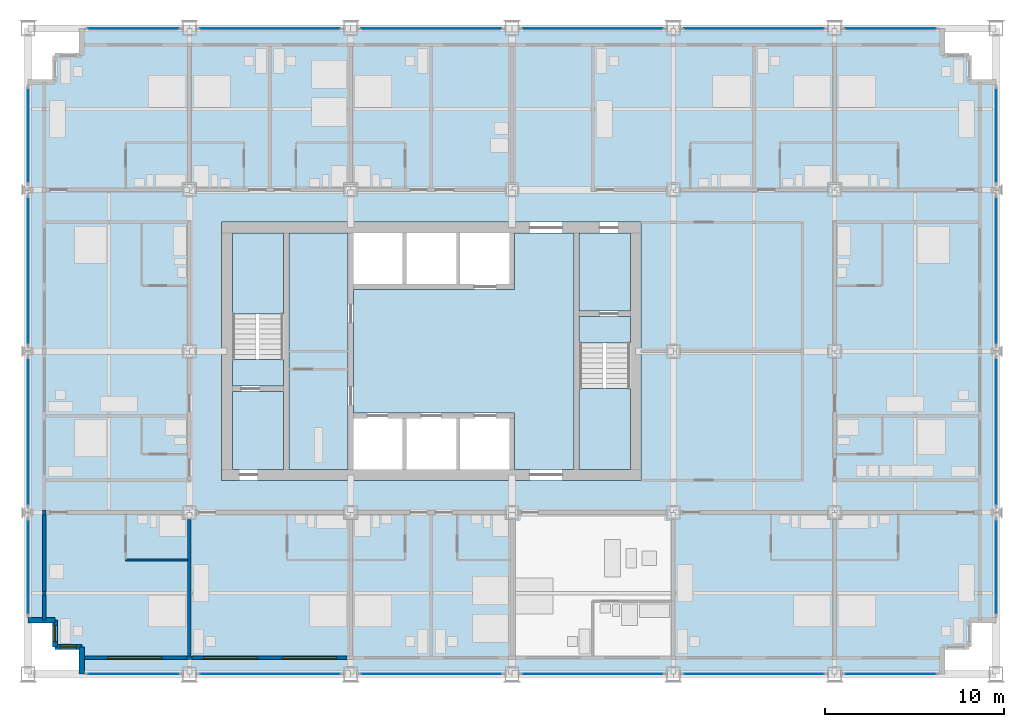
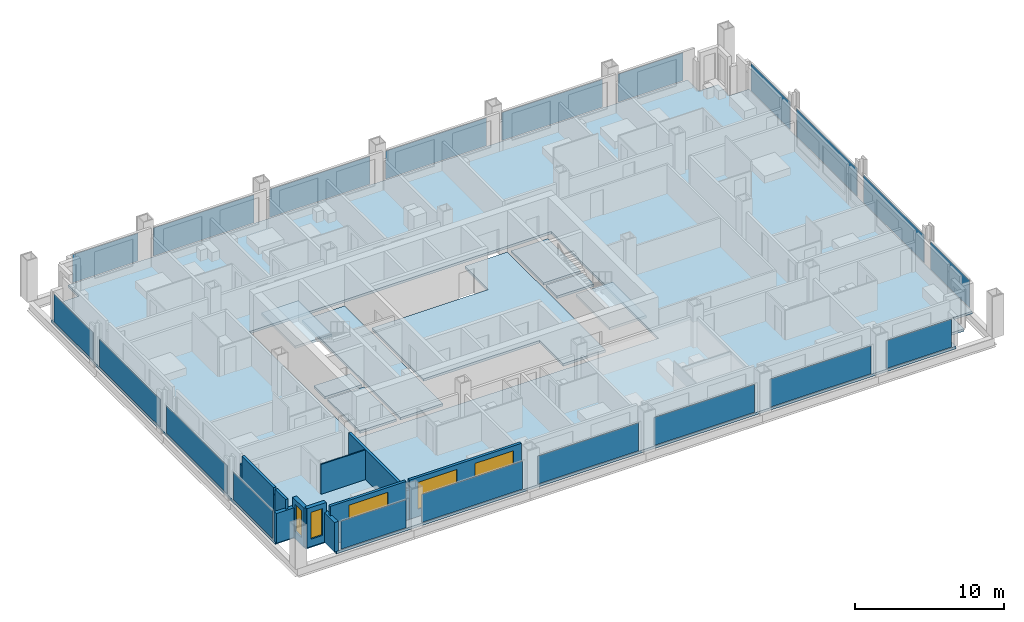
# One storey, part 9 of 18: 20 plates, 13 walls, 9 slabs, 5 windows, 5 openings, 22 elements without a shape of their own.
"""IFC4 building model written with IfcOpenShell, lengths in metres."""

from ifc_helpers import new_model, si_unit, direction, frame, frame_2d, origin, origin_2d, place, context, subcontext, project, spatial, polyline, rectangle, outline, extrude, material, layer, layer_set, type_object, element, fill, aggregate, save


model = new_model("IFC4")

# Units and contexts
model_context = context("Model", 3, precision=1e-05, world=origin(), true_north=direction((0.0, 1.0)))
body_context = subcontext(model_context, "Body", "Model", "MODEL_VIEW")
ifc_project = project(units=[si_unit("LENGTHUNIT", "METRE"), si_unit("AREAUNIT", "SQUARE_METRE"), si_unit("VOLUMEUNIT", "CUBIC_METRE"), si_unit("PLANEANGLEUNIT", "RADIAN"), si_unit("MASSUNIT", "GRAM", prefix="KILO")], contexts=[model_context])

# Site, building, storey
site_placement = place(None, origin())
site = spatial("IfcSite", under=ifc_project, at=site_placement, CompositionType="ELEMENT")
building_placement = place(site_placement, origin())
building = spatial("IfcBuilding", under=site, at=building_placement, Name="Loomwork Tower", CompositionType="ELEMENT")
storey_placement = place(building_placement, frame((0.0, 0.0, 62.0)))
storey = spatial("IfcBuildingStorey", under=building, at=storey_placement, Name="L15", CompositionType="ELEMENT", Elevation=62.0)

# Slabs
ifc_material_1 = material(Name="Concrete 5000 psi (34 MPa) on composite metal deck", Category="concrete")
ifc_layer_1 = layer(ifc_material_1, 0.199951171875)
ifc_layer_set_1 = layer_set([ifc_layer_1], Name="Floor slab 200")
slab_type_1 = type_object("IfcSlabType", Name="Floor slab 200", PredefinedType="FLOOR", material=ifc_layer_set_1)
slab_1_placement = place(storey_placement, frame((0.0, 0.0, -0.199951171875)))
element("IfcSlab", 1, at=slab_1_placement, inside=storey, type_object=slab_type_1, Name="Floor slab L15", PredefinedType="FLOOR", context=body_context, shape_type="SweptSolid", body=[
    extrude(outline(polyline([(3.0, 1.5), (1.5, 1.5), (1.5, 3.0), (0.0, 3.0), (0.0, 33.0), (1.5, 33.0), (1.5, 34.5), (3.0, 34.5), (3.0, 36.0), (51.0, 36.0), (51.0, 34.5), (52.5, 34.5), (52.5, 33.0), (54.0, 33.0), (54.0, 3.0), (52.5, 3.0), (52.5, 1.5), (51.0, 1.5), (51.0, 0.0), (3.0, 0.0), (3.0, 1.5)]), holes=[polyline([(10.800048828125, 11.39990234375), (10.800048828125, 11.39990234375), (10.800048828125, 10.800048828125), (34.199951171875, 10.800048828125), (34.199951171875, 11.39990234375), (34.199951171875, 11.39990234375), (34.199951171875, 24.60009765625), (34.199951171875, 25.199951171875), (10.800048828125, 25.199951171875), (10.800048828125, 24.60009765625), (10.800048828125, 11.39990234375)])]), origin(), (0.0, 0.0, 1.0), 0.199951171875),
])
slab_2_placement = place(storey_placement, frame((0.0, 0.0, -0.199951171875)))
element("IfcSlab", 2, at=slab_2_placement, inside=storey, type_object=slab_type_1, Name="Floor slab L15", PredefinedType="FLOOR", context=body_context, shape_type="SweptSolid", body=[
    extrude(outline(polyline([(30.449951171875, 24.60009765625), (30.449951171875, 11.39990234375), (27.14990234375, 11.39990234375), (27.14990234375, 14.25), (27.14990234375, 14.550048828125), (18.14990234375, 14.550048828125), (18.14990234375, 21.449951171875), (27.14990234375, 21.449951171875), (27.14990234375, 21.75), (27.14990234375, 24.60009765625), (30.449951171875, 24.60009765625)])), origin(), (0.0, 0.0, 1.0), 0.199951171875),
])
slab_3_placement = place(storey_placement, frame((0.0, 0.0, -0.199951171875)))
element("IfcSlab", 3, at=slab_3_placement, inside=storey, type_object=slab_type_1, Name="Floor slab L15", PredefinedType="FLOOR", context=body_context, shape_type="SweptSolid", body=[
    extrude(outline(polyline([(14.550048828125, 11.39990234375), (14.550048828125, 24.60009765625), (17.85009765625, 24.60009765625), (17.85009765625, 11.39990234375), (14.550048828125, 11.39990234375)])), origin(), (0.0, 0.0, 1.0), 0.199951171875),
])
slab_4_placement = place(storey_placement, frame((0.0, 0.0, -0.199951171875)))
element("IfcSlab", 4, at=slab_4_placement, inside=storey, type_object=slab_type_1, Name="Floor slab L15", PredefinedType="FLOOR", context=body_context, shape_type="SweptSolid", body=[
    extrude(outline(polyline([(33.60009765625, 20.25), (30.75, 20.25), (30.75, 24.60009765625), (33.60009765625, 24.60009765625), (33.60009765625, 20.25)])), origin(), (0.0, 0.0, 1.0), 0.199951171875),
])
slab_5_placement = place(storey_placement, frame((0.0, 0.0, -0.199951171875)))
element("IfcSlab", 5, at=slab_5_placement, inside=storey, type_object=slab_type_1, Name="Floor slab L15", PredefinedType="FLOOR", context=body_context, shape_type="SweptSolid", body=[
    extrude(outline(polyline([(14.25, 15.75), (14.25, 11.39990234375), (11.39990234375, 11.39990234375), (11.39990234375, 15.75), (14.25, 15.75)])), origin(), (0.0, 0.0, 1.0), 0.199951171875),
])

# Curtain wall, plate
ifc_material_2 = material(Name="Aluminium curtain wall frame", Category="aluminium")
curtain_wall_type = type_object("IfcCurtainWallType", Name="Outer skin glazing hotel", PredefinedType="NOTDEFINED", material=ifc_material_2)
curtain_wall_1_placement = place(storey_placement, origin())
curtain_wall_1 = element("IfcCurtainWall", 6, at=curtain_wall_1_placement, inside=storey, type_object=curtain_wall_type, Name="Outer skin glazing hotel cw/S-0", PredefinedType="NOTDEFINED")
ifc_material_3 = material(Name="Clear laminated glass", Category="glass")
ifc_layer_2 = layer(ifc_material_3, 0.02392578125)
ifc_layer_set_2 = layer_set([ifc_layer_2], Name="Outer skin glazing hotel panel")
plate_type = type_object("IfcPlateType", Name="Outer skin glazing hotel panel", PredefinedType="CURTAIN_PANEL", material=ifc_layer_set_2)
plate_1_placement = place(storey_placement, frame((5.875, 0.0, 0.06494140625), z_axis=(0.0, 0.0, 1.0), x_axis=(1.0, 0.0, 0.0)))
plate_1 = element("IfcPlate", 7, at=plate_1_placement, type_object=plate_type, Name="CW1 panel 1.1", PredefinedType="CURTAIN_PANEL", context=body_context, shape_type="SweptSolid", body=[
    extrude(rectangle(XDim=5.050048828125, YDim=0.02392578125, at=origin_2d()), origin(), (0.0, 0.0, 1.0), 2.290283203125),
])
aggregate(curtain_wall_1, [plate_1])

curtain_wall_2_placement = place(storey_placement, origin())
curtain_wall_2 = element("IfcCurtainWall", 8, at=curtain_wall_2_placement, inside=storey, type_object=curtain_wall_type, Name="Outer skin glazing hotel cw/S-9", PredefinedType="NOTDEFINED")
plate_2_placement = place(storey_placement, frame((13.5, 0.0, 0.06494140625), z_axis=(0.0, 0.0, 1.0), x_axis=(1.0, 0.0, 0.0)))
plate_2 = element("IfcPlate", 9, at=plate_2_placement, type_object=plate_type, Name="CW1 panel 1.1", PredefinedType="CURTAIN_PANEL", context=body_context, shape_type="SweptSolid", body=[
    extrude(rectangle(XDim=7.800048828125, YDim=0.02392578125, at=origin_2d()), origin(), (0.0, 0.0, 1.0), 2.290283203125),
])
aggregate(curtain_wall_2, [plate_2])

curtain_wall_3_placement = place(storey_placement, origin())
curtain_wall_3 = element("IfcCurtainWall", 10, at=curtain_wall_3_placement, inside=storey, type_object=curtain_wall_type, Name="Outer skin glazing hotel cw/S-18", PredefinedType="NOTDEFINED")
plate_3_placement = place(storey_placement, frame((22.5, 0.0, 0.06494140625), z_axis=(0.0, 0.0, 1.0), x_axis=(1.0, 0.0, 0.0)))
plate_3 = element("IfcPlate", 11, at=plate_3_placement, type_object=plate_type, Name="CW1 panel 1.1", PredefinedType="CURTAIN_PANEL", context=body_context, shape_type="SweptSolid", body=[
    extrude(rectangle(XDim=7.800048828125, YDim=0.02392578125, at=origin_2d()), origin(), (0.0, 0.0, 1.0), 2.290283203125),
])
aggregate(curtain_wall_3, [plate_3])

curtain_wall_4_placement = place(storey_placement, origin())
curtain_wall_4 = element("IfcCurtainWall", 12, at=curtain_wall_4_placement, inside=storey, type_object=curtain_wall_type, Name="Outer skin glazing hotel cw/S-27", PredefinedType="NOTDEFINED")
plate_4_placement = place(storey_placement, frame((31.5, 0.0, 0.06494140625), z_axis=(0.0, 0.0, 1.0), x_axis=(1.0, 0.0, 0.0)))
plate_4 = element("IfcPlate", 13, at=plate_4_placement, type_object=plate_type, Name="CW1 panel 1.1", PredefinedType="CURTAIN_PANEL", context=body_context, shape_type="SweptSolid", body=[
    extrude(rectangle(XDim=7.800048828125, YDim=0.02392578125, at=origin_2d()), origin(), (0.0, 0.0, 1.0), 2.290283203125),
])
aggregate(curtain_wall_4, [plate_4])

curtain_wall_5_placement = place(storey_placement, origin())
curtain_wall_5 = element("IfcCurtainWall", 14, at=curtain_wall_5_placement, inside=storey, type_object=curtain_wall_type, Name="Outer skin glazing hotel cw/S-36", PredefinedType="NOTDEFINED")
plate_5_placement = place(storey_placement, frame((40.5, 0.0, 0.06494140625), z_axis=(0.0, 0.0, 1.0), x_axis=(1.0, 0.0, 0.0)))
plate_5 = element("IfcPlate", 15, at=plate_5_placement, type_object=plate_type, Name="CW1 panel 1.1", PredefinedType="CURTAIN_PANEL", context=body_context, shape_type="SweptSolid", body=[
    extrude(rectangle(XDim=7.800048828125, YDim=0.02392578125, at=origin_2d()), origin(), (0.0, 0.0, 1.0), 2.290283203125),
])
aggregate(curtain_wall_5, [plate_5])

curtain_wall_6_placement = place(storey_placement, origin())
curtain_wall_6 = element("IfcCurtainWall", 16, at=curtain_wall_6_placement, inside=storey, type_object=curtain_wall_type, Name="Outer skin glazing hotel cw/S-45", PredefinedType="NOTDEFINED")
plate_6_placement = place(storey_placement, frame((48.125, 0.0, 0.06494140625), z_axis=(0.0, 0.0, 1.0), x_axis=(1.0, 0.0, 0.0)))
plate_6 = element("IfcPlate", 17, at=plate_6_placement, type_object=plate_type, Name="CW1 panel 1.1", PredefinedType="CURTAIN_PANEL", context=body_context, shape_type="SweptSolid", body=[
    extrude(rectangle(XDim=5.050048828125, YDim=0.02392578125, at=origin_2d()), origin(), (0.0, 0.0, 1.0), 2.290283203125),
])
aggregate(curtain_wall_6, [plate_6])

curtain_wall_7_placement = place(storey_placement, origin())
curtain_wall_7 = element("IfcCurtainWall", 18, at=curtain_wall_7_placement, inside=storey, type_object=curtain_wall_type, Name="Outer skin glazing hotel cw/N-0", PredefinedType="NOTDEFINED")
plate_7_placement = place(storey_placement, frame((5.875, 36.0, 0.06494140625), z_axis=(0.0, 0.0, 1.0), x_axis=(-1.0, 0.0, 0.0)))
plate_7 = element("IfcPlate", 19, at=plate_7_placement, type_object=plate_type, Name="CW1 panel 1.1", PredefinedType="CURTAIN_PANEL", context=body_context, shape_type="SweptSolid", body=[
    extrude(rectangle(XDim=5.050048828125, YDim=0.02392578125, at=origin_2d()), origin(), (0.0, 0.0, 1.0), 2.290283203125),
])
aggregate(curtain_wall_7, [plate_7])

curtain_wall_8_placement = place(storey_placement, origin())
curtain_wall_8 = element("IfcCurtainWall", 20, at=curtain_wall_8_placement, inside=storey, type_object=curtain_wall_type, Name="Outer skin glazing hotel cw/N-9", PredefinedType="NOTDEFINED")
plate_8_placement = place(storey_placement, frame((13.5, 36.0, 0.06494140625), z_axis=(0.0, 0.0, 1.0), x_axis=(-1.0, 0.0, 0.0)))
plate_8 = element("IfcPlate", 21, at=plate_8_placement, type_object=plate_type, Name="CW1 panel 1.1", PredefinedType="CURTAIN_PANEL", context=body_context, shape_type="SweptSolid", body=[
    extrude(rectangle(XDim=7.800048828125, YDim=0.02392578125, at=origin_2d()), origin(), (0.0, 0.0, 1.0), 2.290283203125),
])
aggregate(curtain_wall_8, [plate_8])

curtain_wall_9_placement = place(storey_placement, origin())
curtain_wall_9 = element("IfcCurtainWall", 22, at=curtain_wall_9_placement, inside=storey, type_object=curtain_wall_type, Name="Outer skin glazing hotel cw/N-18", PredefinedType="NOTDEFINED")
plate_9_placement = place(storey_placement, frame((22.5, 36.0, 0.06494140625), z_axis=(0.0, 0.0, 1.0), x_axis=(-1.0, 0.0, 0.0)))
plate_9 = element("IfcPlate", 23, at=plate_9_placement, type_object=plate_type, Name="CW1 panel 1.1", PredefinedType="CURTAIN_PANEL", context=body_context, shape_type="SweptSolid", body=[
    extrude(rectangle(XDim=7.800048828125, YDim=0.02392578125, at=origin_2d()), origin(), (0.0, 0.0, 1.0), 2.290283203125),
])
aggregate(curtain_wall_9, [plate_9])

curtain_wall_10_placement = place(storey_placement, origin())
curtain_wall_10 = element("IfcCurtainWall", 24, at=curtain_wall_10_placement, inside=storey, type_object=curtain_wall_type, Name="Outer skin glazing hotel cw/N-27", PredefinedType="NOTDEFINED")
plate_10_placement = place(storey_placement, frame((31.5, 36.0, 0.06494140625), z_axis=(0.0, 0.0, 1.0), x_axis=(-1.0, 0.0, 0.0)))
plate_10 = element("IfcPlate", 25, at=plate_10_placement, type_object=plate_type, Name="CW1 panel 1.1", PredefinedType="CURTAIN_PANEL", context=body_context, shape_type="SweptSolid", body=[
    extrude(rectangle(XDim=7.800048828125, YDim=0.02392578125, at=origin_2d()), origin(), (0.0, 0.0, 1.0), 2.290283203125),
])
aggregate(curtain_wall_10, [plate_10])

curtain_wall_11_placement = place(storey_placement, origin())
curtain_wall_11 = element("IfcCurtainWall", 26, at=curtain_wall_11_placement, inside=storey, type_object=curtain_wall_type, Name="Outer skin glazing hotel cw/N-36", PredefinedType="NOTDEFINED")
plate_11_placement = place(storey_placement, frame((40.5, 36.0, 0.06494140625), z_axis=(0.0, 0.0, 1.0), x_axis=(-1.0, 0.0, 0.0)))
plate_11 = element("IfcPlate", 27, at=plate_11_placement, type_object=plate_type, Name="CW1 panel 1.1", PredefinedType="CURTAIN_PANEL", context=body_context, shape_type="SweptSolid", body=[
    extrude(rectangle(XDim=7.800048828125, YDim=0.02392578125, at=origin_2d()), origin(), (0.0, 0.0, 1.0), 2.290283203125),
])
aggregate(curtain_wall_11, [plate_11])

curtain_wall_12_placement = place(storey_placement, origin())
curtain_wall_12 = element("IfcCurtainWall", 28, at=curtain_wall_12_placement, inside=storey, type_object=curtain_wall_type, Name="Outer skin glazing hotel cw/N-45", PredefinedType="NOTDEFINED")
plate_12_placement = place(storey_placement, frame((48.125, 36.0, 0.06494140625), z_axis=(0.0, 0.0, 1.0), x_axis=(-1.0, 0.0, 0.0)))
plate_12 = element("IfcPlate", 29, at=plate_12_placement, type_object=plate_type, Name="CW1 panel 1.1", PredefinedType="CURTAIN_PANEL", context=body_context, shape_type="SweptSolid", body=[
    extrude(rectangle(XDim=5.050048828125, YDim=0.02392578125, at=origin_2d()), origin(), (0.0, 0.0, 1.0), 2.290283203125),
])
aggregate(curtain_wall_12, [plate_12])

curtain_wall_13_placement = place(storey_placement, origin())
curtain_wall_13 = element("IfcCurtainWall", 30, at=curtain_wall_13_placement, inside=storey, type_object=curtain_wall_type, Name="Outer skin glazing hotel cw/W-0", PredefinedType="NOTDEFINED")
plate_13_placement = place(storey_placement, frame((0.0, 5.96142578125, 0.06494140625), z_axis=(0.0, 0.0, 1.0), x_axis=(0.0, -1.0, 0.0)))
plate_13 = element("IfcPlate", 31, at=plate_13_placement, type_object=plate_type, Name="CW1 panel 1.1", PredefinedType="CURTAIN_PANEL", context=body_context, shape_type="SweptSolid", body=[
    extrude(rectangle(XDim=5.22265625, YDim=0.02392578125, at=origin_2d()), origin(), (0.0, 0.0, 1.0), 2.290283203125),
])
aggregate(curtain_wall_13, [plate_13])

curtain_wall_14_placement = place(storey_placement, origin())
curtain_wall_14 = element("IfcCurtainWall", 32, at=curtain_wall_14_placement, inside=storey, type_object=curtain_wall_type, Name="Outer skin glazing hotel cw/W-9", PredefinedType="NOTDEFINED")
plate_14_placement = place(storey_placement, frame((0.0, 13.5, 0.06494140625), z_axis=(0.0, 0.0, 1.0), x_axis=(0.0, -1.0, 0.0)))
plate_14 = element("IfcPlate", 33, at=plate_14_placement, type_object=plate_type, Name="CW1 panel 1.1", PredefinedType="CURTAIN_PANEL", context=body_context, shape_type="SweptSolid", body=[
    extrude(rectangle(XDim=8.1455078125, YDim=0.02392578125, at=origin_2d()), origin(), (0.0, 0.0, 1.0), 2.290283203125),
])
aggregate(curtain_wall_14, [plate_14])

curtain_wall_15_placement = place(storey_placement, origin())
curtain_wall_15 = element("IfcCurtainWall", 34, at=curtain_wall_15_placement, inside=storey, type_object=curtain_wall_type, Name="Outer skin glazing hotel cw/W-18", PredefinedType="NOTDEFINED")
plate_15_placement = place(storey_placement, frame((0.0, 22.5, 0.06494140625), z_axis=(0.0, 0.0, 1.0), x_axis=(0.0, -1.0, 0.0)))
plate_15 = element("IfcPlate", 35, at=plate_15_placement, type_object=plate_type, Name="CW1 panel 1.1", PredefinedType="CURTAIN_PANEL", context=body_context, shape_type="SweptSolid", body=[
    extrude(rectangle(XDim=8.1455078125, YDim=0.02392578125, at=origin_2d()), origin(), (0.0, 0.0, 1.0), 2.290283203125),
])
aggregate(curtain_wall_15, [plate_15])

curtain_wall_16_placement = place(storey_placement, origin())
curtain_wall_16 = element("IfcCurtainWall", 36, at=curtain_wall_16_placement, inside=storey, type_object=curtain_wall_type, Name="Outer skin glazing hotel cw/W-27", PredefinedType="NOTDEFINED")
plate_16_placement = place(storey_placement, frame((0.0, 30.03857421875, 0.06494140625), z_axis=(0.0, 0.0, 1.0), x_axis=(0.0, -1.0, 0.0)))
plate_16 = element("IfcPlate", 37, at=plate_16_placement, type_object=plate_type, Name="CW1 panel 1.1", PredefinedType="CURTAIN_PANEL", context=body_context, shape_type="SweptSolid", body=[
    extrude(rectangle(XDim=5.22265625, YDim=0.02392578125, at=origin_2d()), origin(), (0.0, 0.0, 1.0), 2.290283203125),
])
aggregate(curtain_wall_16, [plate_16])

curtain_wall_17_placement = place(storey_placement, origin())
curtain_wall_17 = element("IfcCurtainWall", 38, at=curtain_wall_17_placement, inside=storey, type_object=curtain_wall_type, Name="Outer skin glazing hotel cw/E-0", PredefinedType="NOTDEFINED")
plate_17_placement = place(storey_placement, frame((54.0, 5.96142578125, 0.06494140625), z_axis=(0.0, 0.0, 1.0), x_axis=(0.0, 1.0, 0.0)))
plate_17 = element("IfcPlate", 39, at=plate_17_placement, type_object=plate_type, Name="CW1 panel 1.1", PredefinedType="CURTAIN_PANEL", context=body_context, shape_type="SweptSolid", body=[
    extrude(rectangle(XDim=5.22265625, YDim=0.02392578125, at=origin_2d()), origin(), (0.0, 0.0, 1.0), 2.290283203125),
])
aggregate(curtain_wall_17, [plate_17])

curtain_wall_18_placement = place(storey_placement, origin())
curtain_wall_18 = element("IfcCurtainWall", 40, at=curtain_wall_18_placement, inside=storey, type_object=curtain_wall_type, Name="Outer skin glazing hotel cw/E-9", PredefinedType="NOTDEFINED")
plate_18_placement = place(storey_placement, frame((54.0, 13.5, 0.06494140625), z_axis=(0.0, 0.0, 1.0), x_axis=(0.0, 1.0, 0.0)))
plate_18 = element("IfcPlate", 41, at=plate_18_placement, type_object=plate_type, Name="CW1 panel 1.1", PredefinedType="CURTAIN_PANEL", context=body_context, shape_type="SweptSolid", body=[
    extrude(rectangle(XDim=8.1455078125, YDim=0.02392578125, at=origin_2d()), origin(), (0.0, 0.0, 1.0), 2.290283203125),
])
aggregate(curtain_wall_18, [plate_18])

curtain_wall_19_placement = place(storey_placement, origin())
curtain_wall_19 = element("IfcCurtainWall", 42, at=curtain_wall_19_placement, inside=storey, type_object=curtain_wall_type, Name="Outer skin glazing hotel cw/E-18", PredefinedType="NOTDEFINED")
plate_19_placement = place(storey_placement, frame((54.0, 22.5, 0.06494140625), z_axis=(0.0, 0.0, 1.0), x_axis=(0.0, 1.0, 0.0)))
plate_19 = element("IfcPlate", 43, at=plate_19_placement, type_object=plate_type, Name="CW1 panel 1.1", PredefinedType="CURTAIN_PANEL", context=body_context, shape_type="SweptSolid", body=[
    extrude(rectangle(XDim=8.1455078125, YDim=0.02392578125, at=origin_2d()), origin(), (0.0, 0.0, 1.0), 2.290283203125),
])
aggregate(curtain_wall_19, [plate_19])

curtain_wall_20_placement = place(storey_placement, origin())
curtain_wall_20 = element("IfcCurtainWall", 44, at=curtain_wall_20_placement, inside=storey, type_object=curtain_wall_type, Name="Outer skin glazing hotel cw/E-27", PredefinedType="NOTDEFINED")
plate_20_placement = place(storey_placement, frame((54.0, 30.03857421875, 0.06494140625), z_axis=(0.0, 0.0, 1.0), x_axis=(0.0, 1.0, 0.0)))
plate_20 = element("IfcPlate", 45, at=plate_20_placement, type_object=plate_type, Name="CW1 panel 1.1", PredefinedType="CURTAIN_PANEL", context=body_context, shape_type="SweptSolid", body=[
    extrude(rectangle(XDim=5.22265625, YDim=0.02392578125, at=origin_2d()), origin(), (0.0, 0.0, 1.0), 2.290283203125),
])
aggregate(curtain_wall_20, [plate_20])

# Stair, slabs
ifc_material_4 = material(Name="Concrete 5000 psi (34 MPa) precast stair", Category="concrete")
stair_type_1 = type_object("IfcStairType", Name="Stair ST-A 20 risers 2850 wide", PredefinedType="HALF_TURN_STAIR", material=ifc_material_4)
stair_1_placement = place(storey_placement, origin())
stair_1 = element("IfcStair", 46, at=stair_1_placement, inside=storey, type_object=stair_type_1, Name="Stair A L15", PredefinedType="HALF_TURN_STAIR")
ifc_material_5 = material(Name="Concrete 5000 psi (34 MPa)", Category="concrete")
ifc_layer_3 = layer(ifc_material_5, 0.199951171875)
ifc_layer_set_3 = layer_set([ifc_layer_3], Name="Stair landing 200")
slab_type_2 = type_object("IfcSlabType", Name="Stair landing 200", PredefinedType="LANDING", material=ifc_layer_set_3)
slab_6_placement = place(storey_placement, frame((0.0, 0.0, -0.199951171875)))
slab_6 = element("IfcSlab", 47, at=slab_6_placement, type_object=slab_type_2, Name="ST-A landing 1", PredefinedType="LANDING", context=body_context, shape_type="SweptSolid", body=[
    extrude(outline(polyline([(11.39990234375, 16.050048828125), (14.25, 16.050048828125), (14.25, 17.550048828125), (11.39990234375, 17.550048828125), (11.39990234375, 16.050048828125)])), origin(), (0.0, 0.0, 1.0), 0.199951171875),
])
slab_7_placement = place(storey_placement, frame((0.0, 0.0, 1.5)))
slab_7 = element("IfcSlab", 48, at=slab_7_placement, type_object=slab_type_2, Name="ST-A landing 2", PredefinedType="LANDING", context=body_context, shape_type="SweptSolid", body=[
    extrude(outline(polyline([(11.39990234375, 20.070068359375), (14.25, 20.070068359375), (14.25, 24.60009765625), (11.39990234375, 24.60009765625), (11.39990234375, 20.070068359375)])), origin(), (0.0, 0.0, 1.0), 0.199951171875),
])
aggregate(stair_1, [slab_6, slab_7])

ifc_material_6 = material(Name="Concrete 5000 psi (34 MPa) precast stair", Category="concrete")
stair_type_2 = type_object("IfcStairType", Name="Stair ST-B 20 risers 2850 wide", PredefinedType="HALF_TURN_STAIR", material=ifc_material_6)
stair_2_placement = place(storey_placement, origin())
stair_2 = element("IfcStair", 49, at=stair_2_placement, inside=storey, type_object=stair_type_2, Name="Stair B L15", PredefinedType="HALF_TURN_STAIR")
slab_8_placement = place(storey_placement, frame((0.0, 0.0, -0.199951171875)))
slab_8 = element("IfcSlab", 50, at=slab_8_placement, type_object=slab_type_2, Name="ST-B landing 1", PredefinedType="LANDING", context=body_context, shape_type="SweptSolid", body=[
    extrude(outline(polyline([(30.75, 18.449951171875), (33.60009765625, 18.449951171875), (33.60009765625, 19.949951171875), (30.75, 19.949951171875), (30.75, 18.449951171875)])), origin(), (0.0, 0.0, 1.0), 0.199951171875),
])
slab_9_placement = place(storey_placement, frame((0.0, 0.0, 1.5)))
slab_9 = element("IfcSlab", 51, at=slab_9_placement, type_object=slab_type_2, Name="ST-B landing 2", PredefinedType="LANDING", context=body_context, shape_type="SweptSolid", body=[
    extrude(outline(polyline([(30.75, 11.39990234375), (33.60009765625, 11.39990234375), (33.60009765625, 15.929931640625), (30.75, 15.929931640625), (30.75, 11.39990234375)])), origin(), (0.0, 0.0, 1.0), 0.199951171875),
])
aggregate(stair_2, [slab_8, slab_9])

# Walls
ifc_material_7 = material(Name="Cement board on steel studs", Category="steel")
ifc_layer_4 = layer(ifc_material_7, 0.10009765625)
ifc_layer_set_4 = layer_set([ifc_layer_4], Name="En-suite partition 100")
wall_type_1 = type_object("IfcWallType", Name="En-suite partition 100", PredefinedType="PARTITIONING", material=ifc_layer_set_4)
wall_1_placement = place(storey_placement, frame((5.449951171875, 6.35009765625, 0.0), z_axis=(0.0, 0.0, 1.0), x_axis=(1.0, 0.0, 0.0)))
element("IfcWall", 52, at=wall_1_placement, inside=storey, type_object=wall_type_1, Name="En-suite wall L15 room 1", PredefinedType="PARTITIONING", context=body_context, shape_type="SweptSolid", body=[
    extrude(rectangle(XDim=3.449951171875, YDim=0.10009765625, at=frame_2d((1.72509765625, 0.0))), origin(), (0.0, 0.0, 1.0), 2.43798828125),
])
ifc_material_8 = material(Name="Gypsum board on steel studs, acoustic", Category="steel")
ifc_layer_5 = layer(ifc_material_8, 0.199951171875)
ifc_layer_set_5 = layer_set([ifc_layer_5], Name="Guest room party wall 200")
wall_type_2 = type_object("IfcWallType", Name="Guest room party wall 200", PredefinedType="PARTITIONING", material=ifc_layer_set_5)
wall_2_placement = place(storey_placement, frame((9.0, 8.60009765625, 0.0), z_axis=(0.0, 0.0, 1.0), x_axis=(0.0, -1.0, 0.0)))
element("IfcWall", 53, at=wall_2_placement, inside=storey, type_object=wall_type_2, Name="Guest room party wall S 9", PredefinedType="PARTITIONING", context=body_context, shape_type="SweptSolid", body=[
    extrude(rectangle(XDim=7.60009765625, YDim=0.199951171875, at=frame_2d((3.800048828125, 0.0))), origin(), (0.0, 0.0, 1.0), 2.43798828125),
])

# Wall, opening, window
ifc_material_9 = material(Name="Insulated steel stud wall with gypsum lining", Category="steel")
ifc_layer_6 = layer(ifc_material_9, 0.199951171875)
ifc_layer_set_6 = layer_set([ifc_layer_6], Name="Inner skin wall 200")
wall_type_3 = type_object("IfcWallType", Name="Inner skin wall 200", PredefinedType="SOLIDWALL", material=ifc_layer_set_6)
wall_3_placement = place(storey_placement, frame((3.0, 0.89990234375, 0.0), z_axis=(0.0, 0.0, 1.0), x_axis=(1.0, 0.0, 0.0)))
wall_3 = element("IfcWall", 54, at=wall_3_placement, inside=storey, type_object=wall_type_3, Name="Inner skin wall S", PredefinedType="SOLIDWALL", context=body_context, shape_type="SweptSolid", body=[
    extrude(rectangle(XDim=5.86474609375, YDim=0.199951171875, at=frame_2d((2.932373046875, 0.0))), origin(), (0.0, 0.0, 1.0), 3.199951171875),
])
opening_1_placement = place(wall_3_placement, frame((1.449951171875, 0.0, 0.60009765625)))
opening_1 = element("IfcOpeningElement", 55, at=opening_1_placement, cuts=wall_3, Name="Opening CH1", PredefinedType="OPENING", context=body_context, shape_type="SweptSolid", body=[
    extrude(rectangle(XDim=3.0, YDim=2.199951171875, at=frame_2d((1.5, 1.10009765625))), frame((0.0, 0.10986328125, 0.0), z_axis=(0.0, -1.0, 0.0), x_axis=(1.0, 0.0, 0.0)), (0.0, 0.0, 1.0), 0.219970703125),
])
ifc_material_10 = material(Name="Aluminium frame with clear insulated glass", Category="aluminium")
window_type_1 = type_object("IfcWindowType", Name="Chicago window 3000", PartitioningType="TRIPLE_PANEL_VERTICAL", PredefinedType="WINDOW", material=ifc_material_10)
window_1_placement = place(opening_1_placement, origin())
window_1 = element("IfcWindow", 56, at=window_1_placement, inside=storey, type_object=window_type_1, Name="Chicago window L15 bay 1", OverallHeight=2.199951171875, OverallWidth=3.0, PartitioningType="TRIPLE_PANEL_VERTICAL", PredefinedType="WINDOW", context=body_context, shape_type="SweptSolid", body=[
    extrude(rectangle(XDim=3.0, YDim=2.199951171875, at=frame_2d((1.5, 1.10009765625))), frame((0.0, 0.030029296875, 0.0), z_axis=(0.0, -1.0, 0.0), x_axis=(1.0, 0.0, 0.0)), (0.0, 0.0, 1.0), 0.06005859375),
])
fill(opening_1, window_1)

# Walls
wall_4_placement = place(storey_placement, frame((0.89990234375, 3.0, 0.0), z_axis=(0.0, 0.0, 1.0), x_axis=(0.0, 1.0, 0.0)))
element("IfcWall", 57, at=wall_4_placement, inside=storey, type_object=wall_type_3, Name="Inner skin wall W", PredefinedType="SOLIDWALL", context=body_context, shape_type="SweptSolid", body=[
    extrude(rectangle(XDim=1.392578125, YDim=0.199951171875, at=frame_2d((0.6962890625, 0.0))), origin(), (0.0, 0.0, 1.0), 3.199951171875),
])
wall_5_placement = place(storey_placement, frame((8.86474609375, 0.89990234375, 0.0), z_axis=(0.0, 0.0, 1.0), x_axis=(1.0, 0.0, 0.0)))
element("IfcWall", 58, at=wall_5_placement, inside=storey, type_object=wall_type_3, Name="Inner skin wall S bay 2", PredefinedType="SOLIDWALL", context=body_context, shape_type="SweptSolid", body=[
    extrude(rectangle(XDim=0.2705078125, YDim=0.199951171875, at=frame_2d((0.13525390625, 0.0))), origin(), (0.0, 0.0, 1.0), 2.43798828125),
])

# Wall, openings, windows
wall_6_placement = place(storey_placement, frame((9.13525390625, 0.89990234375, 0.0), z_axis=(0.0, 0.0, 1.0), x_axis=(1.0, 0.0, 0.0)))
wall_6 = element("IfcWall", 59, at=wall_6_placement, inside=storey, type_object=wall_type_3, Name="Inner skin wall S bay 3", PredefinedType="SOLIDWALL", context=body_context, shape_type="SweptSolid", body=[
    extrude(rectangle(XDim=8.6708984375, YDim=0.199951171875, at=frame_2d((4.33544921875, 0.0))), origin(), (0.0, 0.0, 1.0), 3.199951171875),
])
opening_2_placement = place(wall_6_placement, frame((0.664794921875, 0.0, 0.60009765625)))
opening_2 = element("IfcOpeningElement", 60, at=opening_2_placement, cuts=wall_6, Name="Opening CH1", PredefinedType="OPENING", context=body_context, shape_type="SweptSolid", body=[
    extrude(rectangle(XDim=3.0, YDim=2.199951171875, at=frame_2d((1.5, 1.10009765625))), frame((0.0, 0.10986328125, 0.0), z_axis=(0.0, -1.0, 0.0), x_axis=(1.0, 0.0, 0.0)), (0.0, 0.0, 1.0), 0.219970703125),
])
opening_3_placement = place(wall_6_placement, frame((5.064697265625, 0.0, 0.60009765625)))
opening_3 = element("IfcOpeningElement", 61, at=opening_3_placement, cuts=wall_6, Name="Opening CH1", PredefinedType="OPENING", context=body_context, shape_type="SweptSolid", body=[
    extrude(rectangle(XDim=3.0, YDim=2.199951171875, at=frame_2d((1.5, 1.10009765625))), frame((0.0, 0.10986328125, 0.0), z_axis=(0.0, -1.0, 0.0), x_axis=(1.0, 0.0, 0.0)), (0.0, 0.0, 1.0), 0.219970703125),
])
window_2_placement = place(opening_2_placement, origin())
window_2 = element("IfcWindow", 62, at=window_2_placement, inside=storey, type_object=window_type_1, Name="Chicago window L15 bay 2", OverallHeight=2.199951171875, OverallWidth=3.0, PartitioningType="TRIPLE_PANEL_VERTICAL", PredefinedType="WINDOW", context=body_context, shape_type="SweptSolid", body=[
    extrude(rectangle(XDim=3.0, YDim=2.199951171875, at=frame_2d((1.5, 1.10009765625))), frame((0.0, 0.030029296875, 0.0), z_axis=(0.0, -1.0, 0.0), x_axis=(1.0, 0.0, 0.0)), (0.0, 0.0, 1.0), 0.06005859375),
])
fill(opening_2, window_2)
window_3_placement = place(opening_3_placement, origin())
window_3 = element("IfcWindow", 63, at=window_3_placement, inside=storey, type_object=window_type_1, Name="Chicago window L15 bay 2", OverallHeight=2.199951171875, OverallWidth=3.0, PartitioningType="TRIPLE_PANEL_VERTICAL", PredefinedType="WINDOW", context=body_context, shape_type="SweptSolid", body=[
    extrude(rectangle(XDim=3.0, YDim=2.199951171875, at=frame_2d((1.5, 1.10009765625))), frame((0.0, 0.030029296875, 0.0), z_axis=(0.0, -1.0, 0.0), x_axis=(1.0, 0.0, 0.0)), (0.0, 0.0, 1.0), 0.06005859375),
])
fill(opening_3, window_3)

# Walls
wall_7_placement = place(storey_placement, frame((0.89990234375, 4.392578125, 0.0), z_axis=(0.0, 0.0, 1.0), x_axis=(0.0, 1.0, 0.0)))
element("IfcWall", 64, at=wall_7_placement, inside=storey, type_object=wall_type_3, Name="Inner skin wall W bay 2", PredefinedType="SOLIDWALL", context=body_context, shape_type="SweptSolid", body=[
    extrude(rectangle(XDim=0.21484375, YDim=0.199951171875, at=frame_2d((0.107421875, 0.0))), origin(), (0.0, 0.0, 1.0), 2.660888671875),
])
wall_8_placement = place(storey_placement, frame((0.89990234375, 4.607421875, 0.0), z_axis=(0.0, 0.0, 1.0), x_axis=(0.0, 1.0, 0.0)))
element("IfcWall", 65, at=wall_8_placement, inside=storey, type_object=wall_type_3, Name="Inner skin wall W bay 3", PredefinedType="SOLIDWALL", context=body_context, shape_type="SweptSolid", body=[
    extrude(rectangle(XDim=4.25732421875, YDim=0.199951171875, at=frame_2d((2.128662109375, 0.0))), origin(), (0.0, 0.0, 1.0), 3.199951171875),
])
wall_9_placement = place(storey_placement, frame((0.89990234375, 8.86474609375, 0.0), z_axis=(0.0, 0.0, 1.0), x_axis=(0.0, 1.0, 0.0)))
element("IfcWall", 66, at=wall_9_placement, inside=storey, type_object=wall_type_3, Name="Inner skin wall W bay 4", PredefinedType="SOLIDWALL", context=body_context, shape_type="SweptSolid", body=[
    extrude(rectangle(XDim=0.2705078125, YDim=0.199951171875, at=frame_2d((0.13525390625, 0.0))), origin(), (0.0, 0.0, 1.0), 2.43798828125),
])
ifc_material_11 = material(Name="Limestone on concrete masonry", Category="masonry")
ifc_layer_7 = layer(ifc_material_11, 0.300048828125)
ifc_layer_set_7 = layer_set([ifc_layer_7], Name="Limestone corner wall 300")
wall_type_4 = type_object("IfcWallType", Name="Limestone corner wall 300", PredefinedType="SOLIDWALL", material=ifc_layer_set_7)
wall_10_placement = place(storey_placement, frame((0.0, 3.0, 0.0), z_axis=(0.0, 0.0, 1.0), x_axis=(1.0, 0.0, 0.0)))
element("IfcWall", 67, at=wall_10_placement, inside=storey, type_object=wall_type_4, Name="Stone corner wall SW 1", PredefinedType="SOLIDWALL", context=body_context, shape_type="SweptSolid", body=[
    extrude(rectangle(XDim=1.5, YDim=0.300048828125, at=frame_2d((0.75, 0.0))), origin(), (0.0, 0.0, 1.0), 2.419921875),
])

# Wall, opening, window
wall_11_placement = place(storey_placement, frame((1.5, 3.0, 0.0), z_axis=(0.0, 0.0, 1.0), x_axis=(0.0, -1.0, 0.0)))
wall_11 = element("IfcWall", 68, at=wall_11_placement, inside=storey, type_object=wall_type_4, Name="Stone corner wall SW 2", PredefinedType="SOLIDWALL", context=body_context, shape_type="SweptSolid", body=[
    extrude(rectangle(XDim=1.5, YDim=0.300048828125, at=frame_2d((0.75, 0.0))), origin(), (0.0, 0.0, 1.0), 3.199951171875),
])
opening_4_placement = place(wall_11_placement, frame((0.300048828125, 0.0, 0.60009765625)))
opening_4 = element("IfcOpeningElement", 69, at=opening_4_placement, cuts=wall_11, Name="Opening CH2", PredefinedType="OPENING", context=body_context, shape_type="SweptSolid", body=[
    extrude(rectangle(XDim=0.89990234375, YDim=2.199951171875, at=frame_2d((0.449951171875, 1.10009765625))), frame((0.0, 0.159912109375, 0.0), z_axis=(0.0, -1.0, 0.0), x_axis=(1.0, 0.0, 0.0)), (0.0, 0.0, 1.0), 0.320068359375),
])
ifc_material_12 = material(Name="Aluminium frame with clear insulated glass", Category="aluminium")
window_type_2 = type_object("IfcWindowType", Name="Corner window 900", PartitioningType="SINGLE_PANEL", PredefinedType="WINDOW", material=ifc_material_12)
window_4_placement = place(opening_4_placement, origin())
window_4 = element("IfcWindow", 70, at=window_4_placement, inside=storey, type_object=window_type_2, Name="Corner window SW", OverallHeight=2.199951171875, OverallWidth=0.89990234375, PartitioningType="SINGLE_PANEL", PredefinedType="WINDOW", context=body_context, shape_type="SweptSolid", body=[
    extrude(rectangle(XDim=0.89990234375, YDim=2.199951171875, at=frame_2d((0.449951171875, 1.10009765625))), frame((0.0, 0.030029296875, 0.0), z_axis=(0.0, -1.0, 0.0), x_axis=(1.0, 0.0, 0.0)), (0.0, 0.0, 1.0), 0.06005859375),
])
fill(opening_4, window_4)

wall_12_placement = place(storey_placement, frame((1.5, 1.5, 0.0), z_axis=(0.0, 0.0, 1.0), x_axis=(1.0, 0.0, 0.0)))
wall_12 = element("IfcWall", 71, at=wall_12_placement, inside=storey, type_object=wall_type_4, Name="Stone corner wall SW 3", PredefinedType="SOLIDWALL", context=body_context, shape_type="SweptSolid", body=[
    extrude(rectangle(XDim=1.5, YDim=0.300048828125, at=frame_2d((0.75, 0.0))), origin(), (0.0, 0.0, 1.0), 3.199951171875),
])
opening_5_placement = place(wall_12_placement, frame((0.300048828125, 0.0, 0.60009765625)))
opening_5 = element("IfcOpeningElement", 72, at=opening_5_placement, cuts=wall_12, Name="Opening CH2", PredefinedType="OPENING", context=body_context, shape_type="SweptSolid", body=[
    extrude(rectangle(XDim=0.89990234375, YDim=2.199951171875, at=frame_2d((0.449951171875, 1.10009765625))), frame((0.0, 0.159912109375, 0.0), z_axis=(0.0, -1.0, 0.0), x_axis=(1.0, 0.0, 0.0)), (0.0, 0.0, 1.0), 0.320068359375),
])
window_5_placement = place(opening_5_placement, origin())
window_5 = element("IfcWindow", 73, at=window_5_placement, inside=storey, type_object=window_type_2, Name="Corner window SW", OverallHeight=2.199951171875, OverallWidth=0.89990234375, PartitioningType="SINGLE_PANEL", PredefinedType="WINDOW", context=body_context, shape_type="SweptSolid", body=[
    extrude(rectangle(XDim=0.89990234375, YDim=2.199951171875, at=frame_2d((0.449951171875, 1.10009765625))), frame((0.0, 0.030029296875, 0.0), z_axis=(0.0, -1.0, 0.0), x_axis=(1.0, 0.0, 0.0)), (0.0, 0.0, 1.0), 0.06005859375),
])
fill(opening_5, window_5)

# Wall
wall_13_placement = place(storey_placement, frame((3.0, 1.5, 0.0), z_axis=(0.0, 0.0, 1.0), x_axis=(0.0, -1.0, 0.0)))
element("IfcWall", 74, at=wall_13_placement, inside=storey, type_object=wall_type_4, Name="Stone corner wall SW 4", PredefinedType="SOLIDWALL", context=body_context, shape_type="SweptSolid", body=[
    extrude(rectangle(XDim=1.5, YDim=0.300048828125, at=frame_2d((0.75, 0.0))), origin(), (0.0, 0.0, 1.0), 2.419921875),
])

save(model, "model.ifc")
